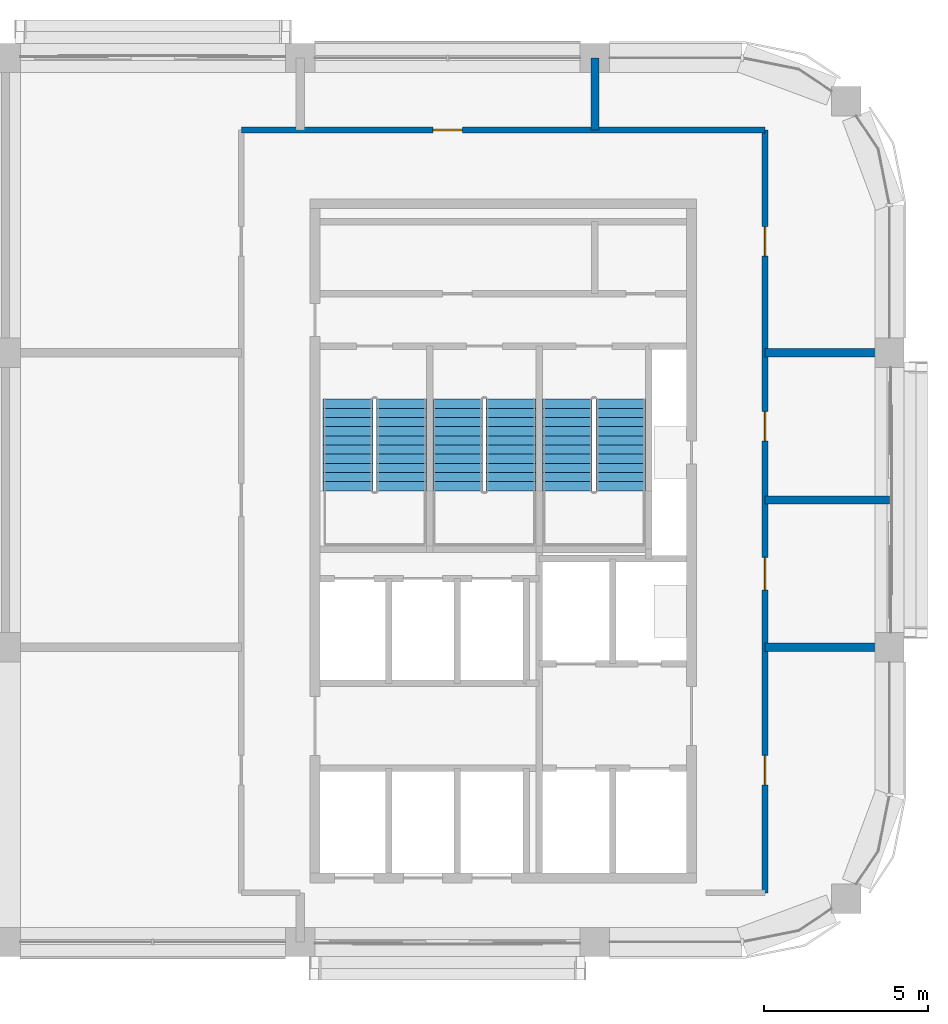
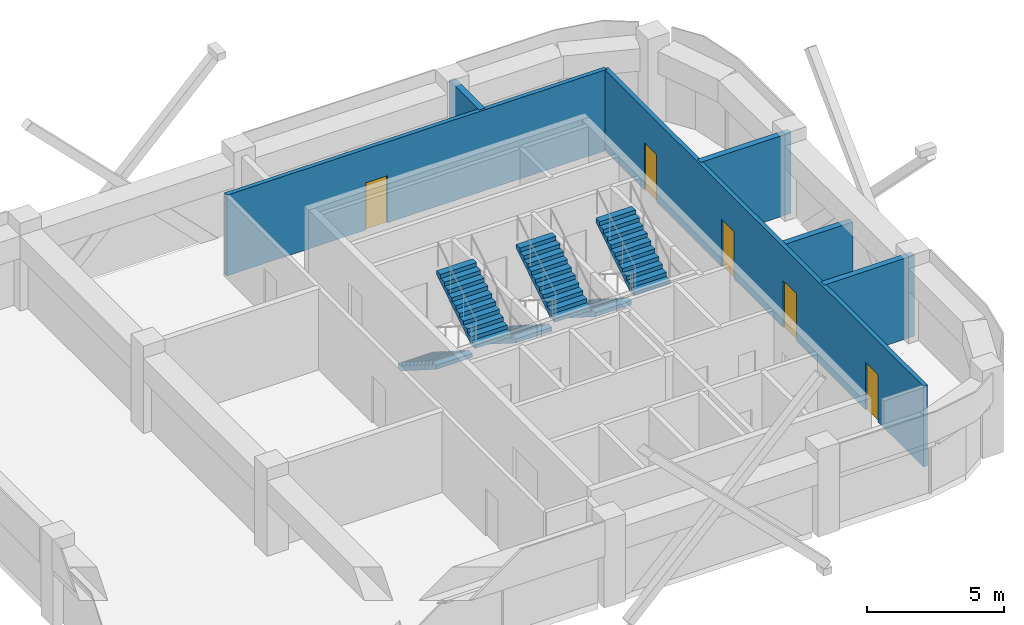
# One storey, part 8 of 9: 6 stair flights, 6 walls, 5 doors, 5 openings, 3 elements without a shape of their own.
"""IFC4 building model written with IfcOpenShell, lengths in metres."""

from ifc_helpers import new_model, si_unit, direction, frame, frame_2d, origin, place, context, subcontext, project, spatial, polyline, rectangle, outline, extrude, material, layer, layer_set, type_object, element, fill, aggregate, save


model = new_model("IFC4")

# Units and contexts
model_context = context("Model", 3, precision=1e-05, world=origin(), true_north=direction((0.0, 1.0)))
body_context = subcontext(model_context, "Body", "Model", "MODEL_VIEW")
ifc_project = project(units=[si_unit("LENGTHUNIT", "METRE"), si_unit("AREAUNIT", "SQUARE_METRE"), si_unit("VOLUMEUNIT", "CUBIC_METRE"), si_unit("PLANEANGLEUNIT", "RADIAN"), si_unit("MASSUNIT", "GRAM", prefix="KILO")], contexts=[model_context])

# Site, building, storey
site_placement = place(None, origin())
site = spatial("IfcSite", under=ifc_project, at=site_placement, CompositionType="ELEMENT")
building_placement = place(site_placement, origin())
building = spatial("IfcBuilding", under=site, at=building_placement, Name="Tessera Arch", CompositionType="ELEMENT")
storey_placement = place(building_placement, frame((0.0, 0.0, 316.800048828125)))
storey = spatial("IfcBuildingStorey", under=building, at=storey_placement, Name="L76", CompositionType="ELEMENT", Elevation=316.800048828125)

# Wall, opening, door
ifc_material_1 = material(Name="Gypsum board on deep steel stud with mineral wool", Category="steel")
ifc_layer_1 = layer(ifc_material_1, 0.175048828125)
ifc_layer_set_1 = layer_set([ifc_layer_1], Name="Corridor wall 175 EI 60")
wall_type_1 = type_object("IfcWallType", Name="Corridor wall 175 EI 60", PredefinedType="PARTITIONING", material=ifc_layer_set_1)
wall_1_placement = place(storey_placement, frame((34.199951171875, 51.800048828125, 0.0), z_axis=(0.0, 0.0, 1.0), x_axis=(1.0, 0.0, 0.0)))
wall_1 = element("IfcWall", 1, at=wall_1_placement, inside=storey, type_object=wall_type_1, Name="L76 partition 3", PredefinedType="PARTITIONING", context=body_context, shape_type="SweptSolid", body=[
    extrude(rectangle(XDim=16.0, YDim=0.175048828125, at=frame_2d((8.0, 0.0))), origin(), (0.0, 0.0, 1.0), 3.599853515625),
])
opening_1_placement = place(wall_1_placement, frame((5.85009765625, 0.0, 0.0)))
opening_1 = element("IfcOpeningElement", 2, at=opening_1_placement, cuts=wall_1, Name="Opening L76-D008", PredefinedType="OPENING", context=body_context, shape_type="SweptSolid", body=[
    extrude(rectangle(XDim=0.89990234375, YDim=2.10009765625, at=frame_2d((0.449951171875, 1.050048828125))), frame((0.0, 0.097412109375, 0.0), z_axis=(0.0, -1.0, 0.0), x_axis=(1.0, 0.0, 0.0)), (0.0, 0.0, 1.0), 0.195068359375),
])
ifc_material_2 = material(Name="Timber door leaf", Category="wood")
door_type_1 = type_object("IfcDoorType", Name="Room door 900 x 2100", OperationType="SINGLE_SWING_LEFT", PredefinedType="DOOR", material=ifc_material_2)
door_1_placement = place(opening_1_placement, origin())
door_1 = element("IfcDoor", 3, at=door_1_placement, inside=storey, type_object=door_type_1, Name="L76 door D008 type D01", OperationType="SINGLE_SWING_RIGHT", OverallHeight=2.10009765625, OverallWidth=0.89990234375, PredefinedType="DOOR", context=body_context, shape_type="SweptSolid", body=[
    extrude(rectangle(XDim=0.89990234375, YDim=2.10009765625, at=frame_2d((0.449951171875, 1.050048828125))), frame((0.0, 0.02490234375, 0.0), z_axis=(0.0, -1.0, 0.0), x_axis=(1.0, 0.0, 0.0)), (0.0, 0.0, 1.0), 0.050048828125),
])
fill(opening_1, door_1)

# Wall, openings, doors
wall_2_placement = place(storey_placement, frame((50.199951171875, 28.5, 0.0), z_axis=(0.0, 0.0, 1.0), x_axis=(0.0, 1.0, 0.0)))
wall_2 = element("IfcWall", 4, at=wall_2_placement, inside=storey, type_object=wall_type_1, Name="L76 partition 5", PredefinedType="PARTITIONING", context=body_context, shape_type="SweptSolid", body=[
    extrude(rectangle(XDim=23.300048828125, YDim=0.175048828125, at=frame_2d((11.64990234375, 0.0))), origin(), (0.0, 0.0, 1.0), 3.599853515625),
])
opening_2_placement = place(wall_2_placement, frame((3.300048828125, 0.0, 0.0)))
opening_2 = element("IfcOpeningElement", 5, at=opening_2_placement, cuts=wall_2, Name="Opening L76-D001", PredefinedType="OPENING", context=body_context, shape_type="SweptSolid", body=[
    extrude(rectangle(XDim=0.89990234375, YDim=2.10009765625, at=frame_2d((0.449951171875, 1.050048828125))), frame((0.0, 0.097412109375, 0.0), z_axis=(0.0, -1.0, 0.0), x_axis=(1.0, 0.0, 0.0)), (0.0, 0.0, 1.0), 0.195068359375),
])
opening_3_placement = place(wall_2_placement, frame((9.25, 0.0, 0.0)))
opening_3 = element("IfcOpeningElement", 6, at=opening_3_placement, cuts=wall_2, Name="Opening L76-D002", PredefinedType="OPENING", context=body_context, shape_type="SweptSolid", body=[
    extrude(rectangle(XDim=1.0, YDim=2.10009765625, at=frame_2d((0.5, 1.050048828125))), frame((0.0, 0.097412109375, 0.0), z_axis=(0.0, -1.0, 0.0), x_axis=(1.0, 0.0, 0.0)), (0.0, 0.0, 1.0), 0.195068359375),
])
opening_4_placement = place(wall_2_placement, frame((13.800048828125, 0.0, 0.0)))
opening_4 = element("IfcOpeningElement", 7, at=opening_4_placement, cuts=wall_2, Name="Opening L76-D005", PredefinedType="OPENING", context=body_context, shape_type="SweptSolid", body=[
    extrude(rectangle(XDim=0.89990234375, YDim=2.10009765625, at=frame_2d((0.449951171875, 1.050048828125))), frame((0.0, 0.097412109375, 0.0), z_axis=(0.0, -1.0, 0.0), x_axis=(1.0, 0.0, 0.0)), (0.0, 0.0, 1.0), 0.195068359375),
])
opening_5_placement = place(wall_2_placement, frame((19.449951171875, 0.0, 0.0)))
opening_5 = element("IfcOpeningElement", 8, at=opening_5_placement, cuts=wall_2, Name="Opening L76-D007", PredefinedType="OPENING", context=body_context, shape_type="SweptSolid", body=[
    extrude(rectangle(XDim=0.89990234375, YDim=2.10009765625, at=frame_2d((0.449951171875, 1.050048828125))), frame((0.0, 0.097412109375, 0.0), z_axis=(0.0, -1.0, 0.0), x_axis=(1.0, 0.0, 0.0)), (0.0, 0.0, 1.0), 0.195068359375),
])
ifc_material_3 = material(Name="Fire-rated door leaf")
door_type_2 = type_object("IfcDoorType", Name="Entrance door FD30S 1000 x 2100", OperationType="SINGLE_SWING_LEFT", PredefinedType="DOOR", material=ifc_material_3)
door_2_placement = place(opening_3_placement, origin())
door_2 = element("IfcDoor", 9, at=door_2_placement, inside=storey, type_object=door_type_2, Name="L76 door D002 type D03", OperationType="SINGLE_SWING_LEFT", OverallHeight=2.10009765625, OverallWidth=1.0, PredefinedType="DOOR", context=body_context, shape_type="SweptSolid", body=[
    extrude(rectangle(XDim=1.0, YDim=2.10009765625, at=frame_2d((0.5, 1.050048828125))), frame((0.0, 0.02490234375, 0.0), z_axis=(0.0, -1.0, 0.0), x_axis=(1.0, 0.0, 0.0)), (0.0, 0.0, 1.0), 0.050048828125),
])
fill(opening_3, door_2)
door_3_placement = place(opening_2_placement, origin())
door_3 = element("IfcDoor", 10, at=door_3_placement, inside=storey, type_object=door_type_1, Name="L76 door D001 type D01", OperationType="SINGLE_SWING_RIGHT", OverallHeight=2.10009765625, OverallWidth=0.89990234375, PredefinedType="DOOR", context=body_context, shape_type="SweptSolid", body=[
    extrude(rectangle(XDim=0.89990234375, YDim=2.10009765625, at=frame_2d((0.449951171875, 1.050048828125))), frame((0.0, 0.02490234375, 0.0), z_axis=(0.0, -1.0, 0.0), x_axis=(1.0, 0.0, 0.0)), (0.0, 0.0, 1.0), 0.050048828125),
])
fill(opening_2, door_3)
door_4_placement = place(opening_4_placement, origin())
door_4 = element("IfcDoor", 11, at=door_4_placement, inside=storey, type_object=door_type_1, Name="L76 door D005 type D01", OperationType="SINGLE_SWING_RIGHT", OverallHeight=2.10009765625, OverallWidth=0.89990234375, PredefinedType="DOOR", context=body_context, shape_type="SweptSolid", body=[
    extrude(rectangle(XDim=0.89990234375, YDim=2.10009765625, at=frame_2d((0.449951171875, 1.050048828125))), frame((0.0, 0.02490234375, 0.0), z_axis=(0.0, -1.0, 0.0), x_axis=(1.0, 0.0, 0.0)), (0.0, 0.0, 1.0), 0.050048828125),
])
fill(opening_4, door_4)
door_5_placement = place(opening_5_placement, origin())
door_5 = element("IfcDoor", 12, at=door_5_placement, inside=storey, type_object=door_type_1, Name="L76 door D007 type D01", OperationType="SINGLE_SWING_RIGHT", OverallHeight=2.10009765625, OverallWidth=0.89990234375, PredefinedType="DOOR", context=body_context, shape_type="SweptSolid", body=[
    extrude(rectangle(XDim=0.89990234375, YDim=2.10009765625, at=frame_2d((0.449951171875, 1.050048828125))), frame((0.0, 0.02490234375, 0.0), z_axis=(0.0, -1.0, 0.0), x_axis=(1.0, 0.0, 0.0)), (0.0, 0.0, 1.0), 0.050048828125),
])
fill(opening_5, door_5)

# Walls
ifc_material_4 = material(Name="Double gypsum board on twin steel stud with acoustic mineral wool", Category="steel")
ifc_layer_2 = layer(ifc_material_4, 0.25)
ifc_layer_set_2 = layer_set([ifc_layer_2], Name="Party wall 250 EI 60")
wall_type_2 = type_object("IfcWallType", Name="Party wall 250 EI 60", PredefinedType="PARTITIONING", material=ifc_layer_set_2)
wall_3_placement = place(storey_placement, frame((50.199951171875, 36.0, 0.0), z_axis=(0.0, 0.0, 1.0), x_axis=(1.0, 0.0, 0.0)))
element("IfcWall", 13, at=wall_3_placement, inside=storey, type_object=wall_type_2, Name="L76 partition 7", PredefinedType="PARTITIONING", context=body_context, shape_type="SweptSolid", body=[
    extrude(rectangle(XDim=3.800048828125, YDim=0.25, at=frame_2d((1.89990234375, 0.0))), origin(), (0.0, 0.0, 1.0), 3.599853515625),
])
wall_4_placement = place(storey_placement, frame((50.199951171875, 40.5, 0.0), z_axis=(0.0, 0.0, 1.0), x_axis=(1.0, 0.0, 0.0)))
element("IfcWall", 14, at=wall_4_placement, inside=storey, type_object=wall_type_2, Name="L76 partition 8", PredefinedType="PARTITIONING", context=body_context, shape_type="SweptSolid", body=[
    extrude(rectangle(XDim=3.800048828125, YDim=0.25, at=frame_2d((1.89990234375, 0.0))), origin(), (0.0, 0.0, 1.0), 2.349853515625),
])
wall_5_placement = place(storey_placement, frame((50.199951171875, 45.0, 0.0), z_axis=(0.0, 0.0, 1.0), x_axis=(1.0, 0.0, 0.0)))
element("IfcWall", 15, at=wall_5_placement, inside=storey, type_object=wall_type_2, Name="L76 partition 10", PredefinedType="PARTITIONING", context=body_context, shape_type="SweptSolid", body=[
    extrude(rectangle(XDim=3.800048828125, YDim=0.25, at=frame_2d((1.89990234375, 0.0))), origin(), (0.0, 0.0, 1.0), 3.599853515625),
])
wall_6_placement = place(storey_placement, frame((45.0, 51.800048828125, 0.0), z_axis=(0.0, 0.0, 1.0), x_axis=(0.0, 1.0, 0.0)))
element("IfcWall", 16, at=wall_6_placement, inside=storey, type_object=wall_type_2, Name="L76 partition 14", PredefinedType="PARTITIONING", context=body_context, shape_type="SweptSolid", body=[
    extrude(rectangle(XDim=2.199951171875, YDim=0.25, at=frame_2d((1.10009765625, 0.0))), origin(), (0.0, 0.0, 1.0), 3.599853515625),
])

# Stair, stair flights
ifc_material_5 = material(Name="Concrete C40/50", Category="concrete")
stair_type = type_object("IfcStairType", Name="Dogleg stair 1520", PredefinedType="HALF_TURN_STAIR", material=ifc_material_5)
stair_1_placement = place(storey_placement, origin())
stair_1 = element("IfcStair", 17, at=stair_1_placement, inside=storey, type_object=stair_type, Name="L76 S1a", PredefinedType="HALF_TURN_STAIR")
ifc_material_6 = material(Name="Concrete C40/50", Category="concrete")
stair_flight_type = type_object("IfcStairFlightType", Name="Stair flight 1520", PredefinedType="STRAIGHT", material=ifc_material_6)
stair_flight_1_placement = place(storey_placement, frame((37.4599609375, 43.580078125, 0.0), z_axis=(0.0, 0.0, 1.0), x_axis=(0.0, -1.0, 0.0)))
stair_flight_1 = element("IfcStairFlight", 18, at=stair_flight_1_placement, type_object=stair_flight_type, Name="S1a flight 1", NumberOfRisers=11, NumberOfTreads=10, PredefinedType="STRAIGHT", RiserHeight=0.177272727, TreadLength=0.28, context=body_context, shape_type="SweptSolid", body=[
    extrude(outline(polyline([(0.0, 0.0), (0.0, 0.17724609375), (0.280029296875, 0.17724609375), (0.280029296875, 0.3544921875), (0.56005859375, 0.3544921875), (0.56005859375, 0.53173828125), (0.840087890625, 0.53173828125), (0.840087890625, 0.708984375), (1.1201171875, 0.708984375), (1.1201171875, 0.886474609375), (1.39990234375, 0.886474609375), (1.39990234375, 1.063720703125), (1.679931640625, 1.063720703125), (1.679931640625, 1.240966796875), (1.9599609375, 1.240966796875), (1.9599609375, 1.418212890625), (2.239990234375, 1.418212890625), (2.239990234375, 1.595458984375), (2.52001953125, 1.595458984375), (2.52001953125, 1.772705078125), (2.800048828125, 1.772705078125), (2.800048828125, 1.949951171875), (2.800048828125, 1.59521484375), (0.2802734375, 0.0), (0.0, 0.0)])), frame((0.0, 0.760009765625, 0.0), z_axis=(0.0, -1.0, 0.0), x_axis=(1.0, 0.0, 0.0)), (0.0, 0.0, 1.0), 1.52001953125),
])
stair_flight_2_placement = place(storey_placement, frame((39.090087890625, 40.780029296875, 1.949951171875), z_axis=(0.0, 0.0, 1.0), x_axis=(0.0, 1.0, 0.0)))
stair_flight_2 = element("IfcStairFlight", 19, at=stair_flight_2_placement, type_object=stair_flight_type, Name="S1a flight 2", NumberOfRisers=11, NumberOfTreads=10, PredefinedType="STRAIGHT", RiserHeight=0.177272727, TreadLength=0.28, context=body_context, shape_type="SweptSolid", body=[
    extrude(outline(polyline([(0.0, 0.0), (0.0, 0.17724609375), (0.280029296875, 0.17724609375), (0.280029296875, 0.3544921875), (0.56005859375, 0.3544921875), (0.56005859375, 0.53173828125), (0.840087890625, 0.53173828125), (0.840087890625, 0.708984375), (1.1201171875, 0.708984375), (1.1201171875, 0.886474609375), (1.39990234375, 0.886474609375), (1.39990234375, 1.063720703125), (1.679931640625, 1.063720703125), (1.679931640625, 1.240966796875), (1.9599609375, 1.240966796875), (1.9599609375, 1.418212890625), (2.239990234375, 1.418212890625), (2.239990234375, 1.595458984375), (2.52001953125, 1.595458984375), (2.52001953125, 1.772705078125), (2.800048828125, 1.772705078125), (2.800048828125, 1.949951171875), (2.800048828125, 1.59521484375), (0.2802734375, 0.0), (0.0, 0.0)])), frame((0.0, 0.760009765625, 0.0), z_axis=(0.0, -1.0, 0.0), x_axis=(1.0, 0.0, 0.0)), (0.0, 0.0, 1.0), 1.52001953125),
])
aggregate(stair_1, [stair_flight_1, stair_flight_2])

stair_2_placement = place(storey_placement, origin())
stair_2 = element("IfcStair", 20, at=stair_2_placement, inside=storey, type_object=stair_type, Name="L76 S1b", PredefinedType="HALF_TURN_STAIR")
stair_flight_3_placement = place(storey_placement, frame((40.81005859375, 43.580078125, 0.0), z_axis=(0.0, 0.0, 1.0), x_axis=(0.0, -1.0, 0.0)))
stair_flight_3 = element("IfcStairFlight", 21, at=stair_flight_3_placement, type_object=stair_flight_type, Name="S1b flight 1", NumberOfRisers=11, NumberOfTreads=10, PredefinedType="STRAIGHT", RiserHeight=0.177272727, TreadLength=0.28, context=body_context, shape_type="SweptSolid", body=[
    extrude(outline(polyline([(0.0, 0.0), (0.0, 0.17724609375), (0.280029296875, 0.17724609375), (0.280029296875, 0.3544921875), (0.56005859375, 0.3544921875), (0.56005859375, 0.53173828125), (0.840087890625, 0.53173828125), (0.840087890625, 0.708984375), (1.1201171875, 0.708984375), (1.1201171875, 0.886474609375), (1.39990234375, 0.886474609375), (1.39990234375, 1.063720703125), (1.679931640625, 1.063720703125), (1.679931640625, 1.240966796875), (1.9599609375, 1.240966796875), (1.9599609375, 1.418212890625), (2.239990234375, 1.418212890625), (2.239990234375, 1.595458984375), (2.52001953125, 1.595458984375), (2.52001953125, 1.772705078125), (2.800048828125, 1.772705078125), (2.800048828125, 1.949951171875), (2.800048828125, 1.59521484375), (0.2802734375, 0.0), (0.0, 0.0)])), frame((0.0, 0.760009765625, 0.0), z_axis=(0.0, -1.0, 0.0), x_axis=(1.0, 0.0, 0.0)), (0.0, 0.0, 1.0), 1.52001953125),
])
stair_flight_4_placement = place(storey_placement, frame((42.43994140625, 40.780029296875, 1.949951171875), z_axis=(0.0, 0.0, 1.0), x_axis=(0.0, 1.0, 0.0)))
stair_flight_4 = element("IfcStairFlight", 22, at=stair_flight_4_placement, type_object=stair_flight_type, Name="S1b flight 2", NumberOfRisers=11, NumberOfTreads=10, PredefinedType="STRAIGHT", RiserHeight=0.177272727, TreadLength=0.28, context=body_context, shape_type="SweptSolid", body=[
    extrude(outline(polyline([(0.0, 0.0), (0.0, 0.17724609375), (0.280029296875, 0.17724609375), (0.280029296875, 0.3544921875), (0.56005859375, 0.3544921875), (0.56005859375, 0.53173828125), (0.840087890625, 0.53173828125), (0.840087890625, 0.708984375), (1.1201171875, 0.708984375), (1.1201171875, 0.886474609375), (1.39990234375, 0.886474609375), (1.39990234375, 1.063720703125), (1.679931640625, 1.063720703125), (1.679931640625, 1.240966796875), (1.9599609375, 1.240966796875), (1.9599609375, 1.418212890625), (2.239990234375, 1.418212890625), (2.239990234375, 1.595458984375), (2.52001953125, 1.595458984375), (2.52001953125, 1.772705078125), (2.800048828125, 1.772705078125), (2.800048828125, 1.949951171875), (2.800048828125, 1.59521484375), (0.2802734375, 0.0), (0.0, 0.0)])), frame((0.0, 0.760009765625, 0.0), z_axis=(0.0, -1.0, 0.0), x_axis=(1.0, 0.0, 0.0)), (0.0, 0.0, 1.0), 1.52001953125),
])
aggregate(stair_2, [stair_flight_3, stair_flight_4])

stair_3_placement = place(storey_placement, origin())
stair_3 = element("IfcStair", 23, at=stair_3_placement, inside=storey, type_object=stair_type, Name="L76 S1c", PredefinedType="HALF_TURN_STAIR")
stair_flight_5_placement = place(storey_placement, frame((44.159912109375, 43.580078125, 0.0), z_axis=(0.0, 0.0, 1.0), x_axis=(0.0, -1.0, 0.0)))
stair_flight_5 = element("IfcStairFlight", 24, at=stair_flight_5_placement, type_object=stair_flight_type, Name="S1c flight 1", NumberOfRisers=11, NumberOfTreads=10, PredefinedType="STRAIGHT", RiserHeight=0.177272727, TreadLength=0.28, context=body_context, shape_type="SweptSolid", body=[
    extrude(outline(polyline([(0.0, 0.0), (0.0, 0.17724609375), (0.280029296875, 0.17724609375), (0.280029296875, 0.3544921875), (0.56005859375, 0.3544921875), (0.56005859375, 0.53173828125), (0.840087890625, 0.53173828125), (0.840087890625, 0.708984375), (1.1201171875, 0.708984375), (1.1201171875, 0.886474609375), (1.39990234375, 0.886474609375), (1.39990234375, 1.063720703125), (1.679931640625, 1.063720703125), (1.679931640625, 1.240966796875), (1.9599609375, 1.240966796875), (1.9599609375, 1.418212890625), (2.239990234375, 1.418212890625), (2.239990234375, 1.595458984375), (2.52001953125, 1.595458984375), (2.52001953125, 1.772705078125), (2.800048828125, 1.772705078125), (2.800048828125, 1.949951171875), (2.800048828125, 1.59521484375), (0.2802734375, 0.0), (0.0, 0.0)])), frame((0.0, 0.760009765625, 0.0), z_axis=(0.0, -1.0, 0.0), x_axis=(1.0, 0.0, 0.0)), (0.0, 0.0, 1.0), 1.52001953125),
])
stair_flight_6_placement = place(storey_placement, frame((45.7900390625, 40.780029296875, 1.949951171875), z_axis=(0.0, 0.0, 1.0), x_axis=(0.0, 1.0, 0.0)))
stair_flight_6 = element("IfcStairFlight", 25, at=stair_flight_6_placement, type_object=stair_flight_type, Name="S1c flight 2", NumberOfRisers=11, NumberOfTreads=10, PredefinedType="STRAIGHT", RiserHeight=0.177272727, TreadLength=0.28, context=body_context, shape_type="SweptSolid", body=[
    extrude(outline(polyline([(0.0, 0.0), (0.0, 0.17724609375), (0.280029296875, 0.17724609375), (0.280029296875, 0.3544921875), (0.56005859375, 0.3544921875), (0.56005859375, 0.53173828125), (0.840087890625, 0.53173828125), (0.840087890625, 0.708984375), (1.1201171875, 0.708984375), (1.1201171875, 0.886474609375), (1.39990234375, 0.886474609375), (1.39990234375, 1.063720703125), (1.679931640625, 1.063720703125), (1.679931640625, 1.240966796875), (1.9599609375, 1.240966796875), (1.9599609375, 1.418212890625), (2.239990234375, 1.418212890625), (2.239990234375, 1.595458984375), (2.52001953125, 1.595458984375), (2.52001953125, 1.772705078125), (2.800048828125, 1.772705078125), (2.800048828125, 1.949951171875), (2.800048828125, 1.59521484375), (0.2802734375, 0.0), (0.0, 0.0)])), frame((0.0, 0.760009765625, 0.0), z_axis=(0.0, -1.0, 0.0), x_axis=(1.0, 0.0, 0.0)), (0.0, 0.0, 1.0), 1.52001953125),
])
aggregate(stair_3, [stair_flight_5, stair_flight_6])

save(model, "model.ifc")
